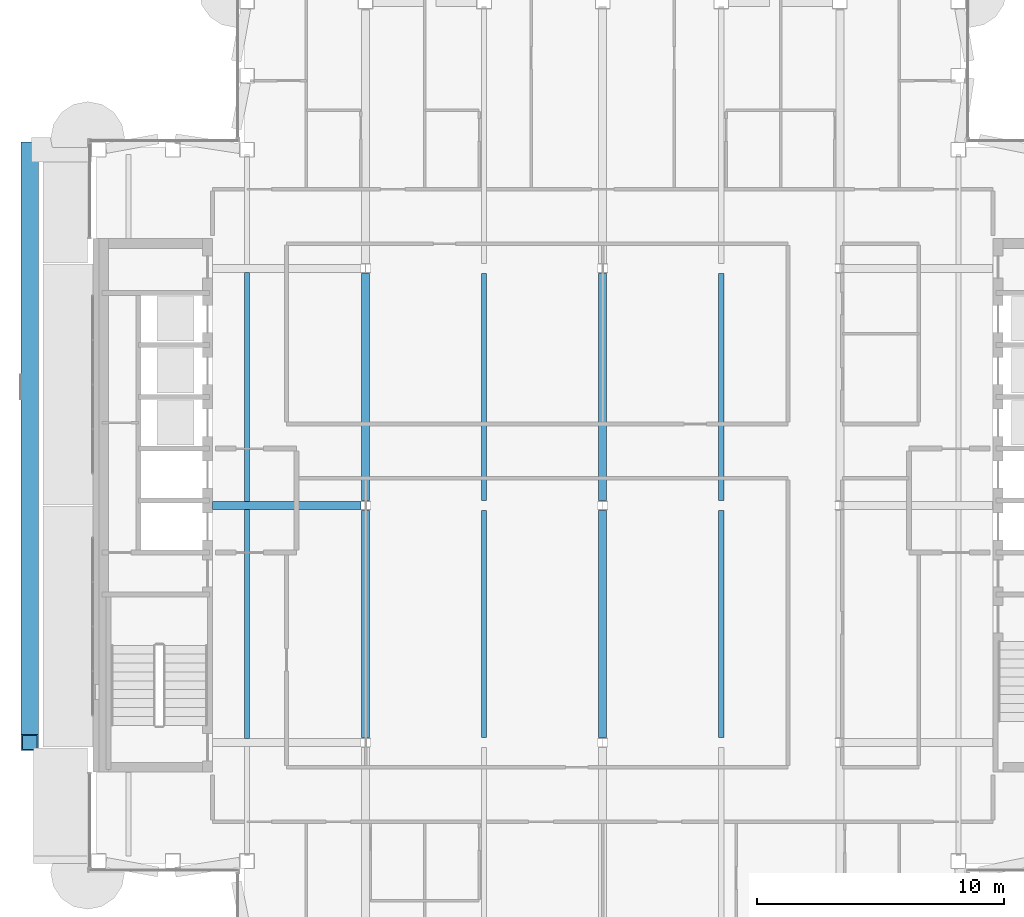
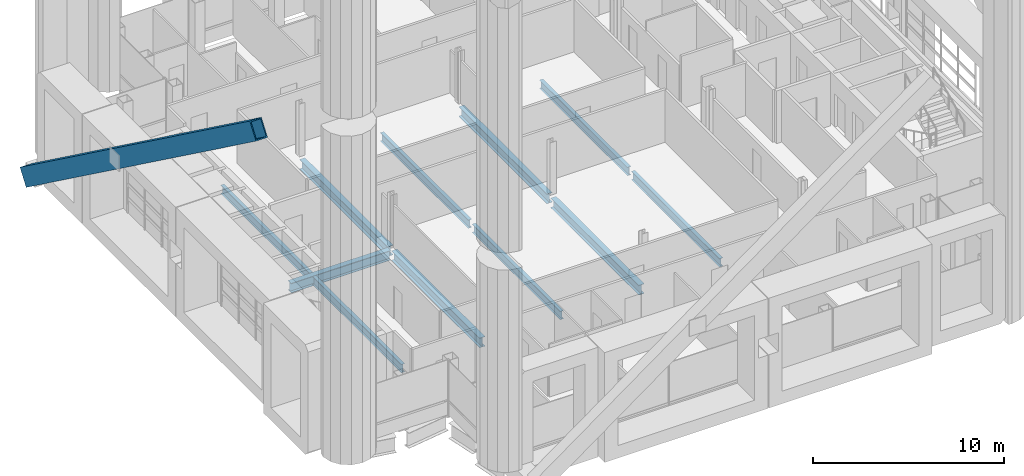
# One storey, part 6 of 29: 11 beams, 1 member.
"""IFC4 building model written with IfcOpenShell, lengths in metres."""

from ifc_helpers import new_model, si_unit, direction, frame, origin, origin_2d, place, context, subcontext, project, spatial, hollow_rectangle, i_section, extrude, material, material_profile, profile_set, type_object, element, save


model = new_model("IFC4")

# Units and contexts
model_context = context("Model", 3, precision=1e-05, world=origin(), true_north=direction((0.0, 1.0)))
body_context = subcontext(model_context, "Body", "Model", "MODEL_VIEW")
ifc_project = project(units=[si_unit("LENGTHUNIT", "METRE"), si_unit("AREAUNIT", "SQUARE_METRE"), si_unit("VOLUMEUNIT", "CUBIC_METRE"), si_unit("PLANEANGLEUNIT", "RADIAN"), si_unit("MASSUNIT", "GRAM", prefix="KILO")], contexts=[model_context])

# Site, building, storey
site_placement = place(None, origin())
site = spatial("IfcSite", under=ifc_project, at=site_placement, CompositionType="ELEMENT")
building_placement = place(site_placement, origin())
building = spatial("IfcBuilding", under=site, at=building_placement, Name="Cobrizo Arcos Hotel Tower", CompositionType="ELEMENT")
storey_placement = place(building_placement, frame((0.0, 0.0, 241.0)))
storey = spatial("IfcBuildingStorey", under=building, at=storey_placement, Name="L63", CompositionType="ELEMENT", Elevation=241.0)

# Member
ifc_material_1 = material(Name="Steel ASTM A572 Grade 50", Category="steel")
ifc_material_profile_1 = material_profile(ifc_material_1, hollow_rectangle(XDim=0.699951171875, YDim=1.10009765625, WallThickness=0.06005859375, at=origin_2d()), Name="BOX 700X1100X60")
ifc_profile_set_1 = profile_set([ifc_material_profile_1], Name="Steel ASTM A572 Grade 50")
member_type = type_object("IfcMemberType", Name="BOX 700X1100X60 perimeter brace", PredefinedType="BRACE", material=ifc_profile_set_1)
member_placement = place(storey_placement, frame((-23.199951171875, 14.39990234375, 0.5), z_axis=(0.0, -0.808007530216, 0.589172157449), x_axis=(1.0, 0.0, 0.0)))
element("IfcMember", 1, at=member_placement, inside=storey, type_object=member_type, Name="Perimeter brace PBR5, zone Z5, west face, no. 00", PredefinedType="BRACE", context=body_context, shape_type="SweptSolid", body=[
    extrude(hollow_rectangle(XDim=0.699951171875, YDim=1.10009765625, WallThickness=0.06005859375, at=origin_2d()), origin(), (0.0, 0.0, 1.0), 29.70263671875),
])

# Beams
ifc_material_2 = material(Name="Steel ASTM A992 Grade 50", Category="steel")
ifc_material_profile_2 = material_profile(ifc_material_2, i_section(OverallWidth=0.209228515625, OverallDepth=0.533447265625, WebThickness=0.01025390625, FlangeThickness=0.015625, at=origin_2d()), Name="W21X62")
ifc_profile_set_2 = profile_set([ifc_material_profile_2], Name="Steel ASTM A992 Grade 50")
beam_type_1 = type_object("IfcBeamType", Name="W21X62 joist", PredefinedType="JOIST", material=ifc_profile_set_2)
for number, where, z_axis, x_axis, name in (
    (2, (-14.39990234375, -9.43603515625, -0.416748046875), (0.0, 1.0, 0.0), (-1.0, 0.0, 0.0), "Floor joist J1, L63, no. 004"),
    (3, (-14.39990234375, 0.163818359375, -0.416748046875), (0.0, 1.0, 0.0), (-1.0, 0.0, 0.0), "Floor joist J1, L63, no. 005"),
):
    element("IfcBeam", number, at=place(storey_placement, frame(where, z_axis=z_axis, x_axis=x_axis)), inside=storey, type_object=beam_type_1, Name=name, PredefinedType="JOIST", context=body_context, shape_type="SweptSolid", body=[
        extrude(i_section(OverallWidth=0.209228515625, OverallDepth=0.533447265625, WebThickness=0.01025390625, FlangeThickness=0.015625, at=origin_2d()), origin(), (0.0, 0.0, 1.0), 9.272216796875),
    ])
for number, where, z_axis, x_axis, name in (
    (4, (-4.800048828125, -9.3994140625, -0.416748046875), (0.0, 1.0, 0.0), (-1.0, 0.0, 0.0), "Floor joist J1, L63, no. 008"),
    (5, (-4.800048828125, 0.200439453125, -0.416748046875), (0.0, 1.0, 0.0), (-1.0, 0.0, 0.0), "Floor joist J1, L63, no. 009"),
    (6, (4.800048828125, -9.3994140625, -0.416748046875), (0.0, 1.0, 0.0), (-1.0, 0.0, 0.0), "Floor joist J1, L63, no. 012"),
    (7, (4.800048828125, 0.200439453125, -0.416748046875), (0.0, 1.0, 0.0), (-1.0, 0.0, 0.0), "Floor joist J1, L63, no. 013"),
):
    element("IfcBeam", number, at=place(storey_placement, frame(where, z_axis=z_axis, x_axis=x_axis)), inside=storey, type_object=beam_type_1, Name=name, PredefinedType="JOIST", context=body_context, shape_type="SweptSolid", body=[
        extrude(i_section(OverallWidth=0.209228515625, OverallDepth=0.533447265625, WebThickness=0.01025390625, FlangeThickness=0.015625, at=origin_2d()), origin(), (0.0, 0.0, 1.0), 9.198974609375),
    ])
ifc_material_profile_3 = material_profile(ifc_material_2, i_section(OverallWidth=0.32763671875, OverallDepth=0.622314453125, WebThickness=0.015380859375, FlangeThickness=0.0244140625, at=origin_2d()), Name="W24X131")
ifc_profile_set_3 = profile_set([ifc_material_profile_3], Name="Steel ASTM A992 Grade 50")
beam_type_2 = type_object("IfcBeamType", Name="W24X131 girder", PredefinedType="BEAM", material=ifc_profile_set_3)
beam_placement = place(storey_placement, frame((-15.7900390625, 0.0, -0.461181640625), z_axis=(1.0, 0.0, 0.0), x_axis=(0.0, 1.0, 0.0)))
element("IfcBeam", 8, at=beam_placement, inside=storey, type_object=beam_type_2, Name="Floor girder G1, L63, no. 003", PredefinedType="BEAM", context=body_context, shape_type="SweptSolid", body=[
    extrude(i_section(OverallWidth=0.32763671875, OverallDepth=0.622314453125, WebThickness=0.015380859375, FlangeThickness=0.0244140625, at=origin_2d()), origin(), (0.0, 0.0, 1.0), 6.00341796875),
])
for number, where, z_axis, x_axis, name in (
    (9, (-9.60009765625, -9.3994140625, -0.461181640625), (0.0, 1.0, 0.0), (-1.0, 0.0, 0.0), "Floor girder G1, L63, no. 008"),
    (10, (-9.60009765625, 0.200439453125, -0.461181640625), (0.0, 1.0, 0.0), (-1.0, 0.0, 0.0), "Floor girder G1, L63, no. 009"),
    (11, (0.0, -9.3994140625, -0.461181640625), (0.0, 1.0, 0.0), (-1.0, 0.0, 0.0), "Floor girder G1, L63, no. 012"),
    (12, (0.0, 0.200439453125, -0.461181640625), (0.0, 1.0, 0.0), (-1.0, 0.0, 0.0), "Floor girder G1, L63, no. 013"),
):
    element("IfcBeam", number, at=place(storey_placement, frame(where, z_axis=z_axis, x_axis=x_axis)), inside=storey, type_object=beam_type_2, Name=name, PredefinedType="BEAM", context=body_context, shape_type="SweptSolid", body=[
        extrude(i_section(OverallWidth=0.32763671875, OverallDepth=0.622314453125, WebThickness=0.015380859375, FlangeThickness=0.0244140625, at=origin_2d()), origin(), (0.0, 0.0, 1.0), 9.198974609375),
    ])

save(model, "model.ifc")
